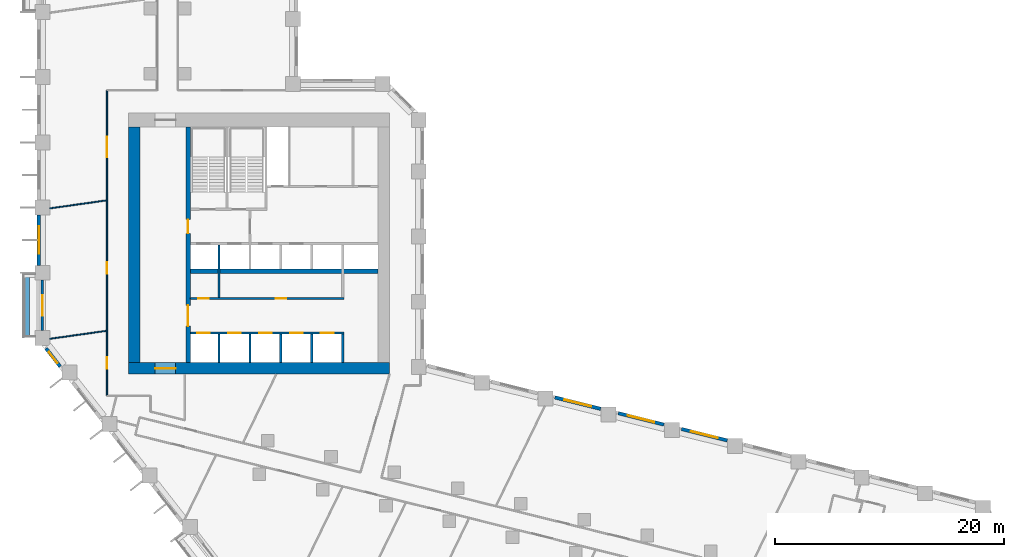
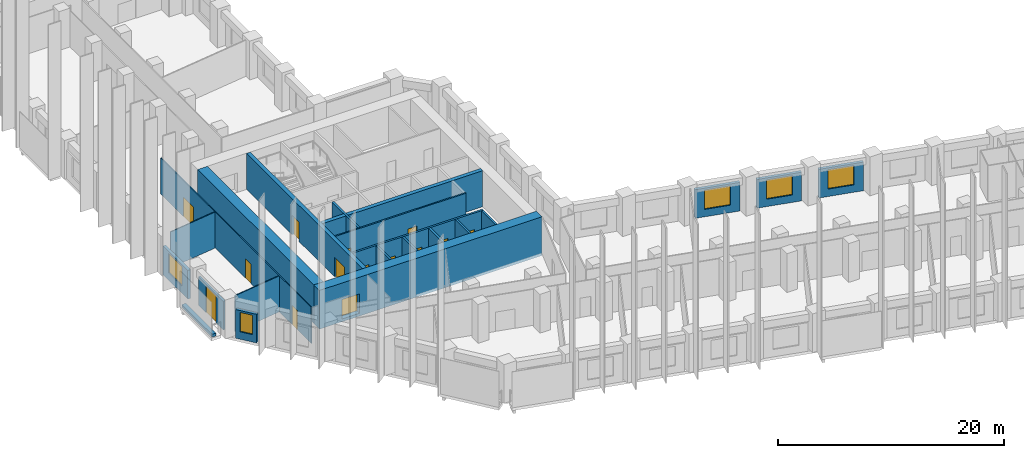
# One storey, part 4 of 11: 22 walls, 14 doors, 5 windows, 19 openings.
"""IFC4 building model written with IfcOpenShell, lengths in metres."""

from ifc_helpers import new_model, si_unit, direction, frame, frame_2d, origin, place, context, subcontext, project, spatial, rectangle, extrude, material, layer, layer_set, type_object, element, fill, save


model = new_model("IFC4")

# Units and contexts
model_context = context("Model", 3, precision=1e-05, world=origin(), true_north=direction((0.0, 1.0)))
body_context = subcontext(model_context, "Body", "Model", "MODEL_VIEW")
ifc_project = project(units=[si_unit("LENGTHUNIT", "METRE"), si_unit("AREAUNIT", "SQUARE_METRE"), si_unit("VOLUMEUNIT", "CUBIC_METRE"), si_unit("PLANEANGLEUNIT", "RADIAN"), si_unit("MASSUNIT", "GRAM", prefix="KILO")], contexts=[model_context])

# Site, building, storey
site_placement = place(None, origin())
site = spatial("IfcSite", under=ifc_project, at=site_placement, CompositionType="ELEMENT")
building_placement = place(site_placement, origin())
building = spatial("IfcBuilding", under=site, at=building_placement, Name="Meshkara Civic Tower", CompositionType="ELEMENT")
storey_placement = place(building_placement, frame((0.0, 0.0, 97.199951171875)))
storey = spatial("IfcBuildingStorey", under=building, at=storey_placement, Name="L21", CompositionType="ELEMENT", Elevation=97.199951171875)

# Wall, openings, doors
ifc_material_1 = material(Name="Blockwork", Category="masonry")
ifc_layer_1 = layer(ifc_material_1, 0.14990234375)
ifc_layer_set_1 = layer_set([ifc_layer_1], Name="Core partition 150")
wall_type_1 = type_object("IfcWallType", Name="Core partition 150", PredefinedType="PARTITIONING", material=ifc_layer_set_1)
wall_1_placement = place(storey_placement, frame((13.39990234375, 20.699951171875, 0.0), z_axis=(0.0, 0.0, 1.0), x_axis=(1.0, 0.0, 0.0)))
wall_1 = element("IfcWall", 1, at=wall_1_placement, inside=storey, type_object=wall_type_1, Name="L21-C006", PredefinedType="PARTITIONING", context=body_context, shape_type="SweptSolid", body=[
    extrude(rectangle(XDim=13.400146484375, YDim=0.14990234375, at=frame_2d((6.7001953125, 0.0))), origin(), (0.0, 0.0, 1.0), 3.900146484375),
])
opening_1_placement = place(wall_1_placement, frame((0.699951171875, 0.0, 0.0)))
opening_1 = element("IfcOpeningElement", 2, at=opening_1_placement, cuts=wall_1, Name="Opening L21-K010", PredefinedType="OPENING", context=body_context, shape_type="SweptSolid", body=[
    extrude(rectangle(XDim=0.89990234375, YDim=2.10009765625, at=frame_2d((0.449951171875, 1.050048828125))), frame((0.0, 0.0849609375, 0.0), z_axis=(0.0, -1.0, 0.0), x_axis=(1.0, 0.0, 0.0)), (0.0, 0.0, 1.0), 0.169921875),
])
opening_2_placement = place(wall_1_placement, frame((7.449951171875, 0.0, 0.0)))
opening_2 = element("IfcOpeningElement", 3, at=opening_2_placement, cuts=wall_1, Name="Opening L21-K011", PredefinedType="OPENING", context=body_context, shape_type="SweptSolid", body=[
    extrude(rectangle(XDim=0.89990234375, YDim=2.10009765625, at=frame_2d((0.449951171875, 1.050048828125))), frame((0.0, 0.0849609375, 0.0), z_axis=(0.0, -1.0, 0.0), x_axis=(1.0, 0.0, 0.0)), (0.0, 0.0, 1.0), 0.169921875),
])
ifc_material_2 = material(Name="Timber door leaf in steel frame", Category="steel")
door_type_1 = type_object("IfcDoorType", Name="Core room door 900", OperationType="SINGLE_SWING_LEFT", PredefinedType="DOOR", material=ifc_material_2)
door_1_placement = place(opening_1_placement, origin())
door_1 = element("IfcDoor", 4, at=door_1_placement, inside=storey, type_object=door_type_1, Name="L21-K010", OperationType="SINGLE_SWING_RIGHT", OverallHeight=2.10009765625, OverallWidth=0.89990234375, PredefinedType="DOOR", context=body_context, shape_type="SweptSolid", body=[
    extrude(rectangle(XDim=0.89990234375, YDim=2.10009765625, at=frame_2d((0.449951171875, 1.050048828125))), frame((0.0, 0.02490234375, 0.0), z_axis=(0.0, -1.0, 0.0), x_axis=(1.0, 0.0, 0.0)), (0.0, 0.0, 1.0), 0.050048828125),
])
fill(opening_1, door_1)
door_2_placement = place(opening_2_placement, origin())
door_2 = element("IfcDoor", 5, at=door_2_placement, inside=storey, type_object=door_type_1, Name="L21-K011", OperationType="SINGLE_SWING_LEFT", OverallHeight=2.10009765625, OverallWidth=0.89990234375, PredefinedType="DOOR", context=body_context, shape_type="SweptSolid", body=[
    extrude(rectangle(XDim=0.89990234375, YDim=2.10009765625, at=frame_2d((0.449951171875, 1.050048828125))), frame((0.0, 0.02490234375, 0.0), z_axis=(0.0, -1.0, 0.0), x_axis=(1.0, 0.0, 0.0)), (0.0, 0.0, 1.0), 0.050048828125),
])
fill(opening_2, door_2)

# Wall, opening, door
ifc_material_3 = material(Name="Concrete C70", Category="concrete")
ifc_layer_2 = layer(ifc_material_3, 1.0)
ifc_layer_set_2 = layer_set([ifc_layer_2], Name="Core ring wall 1000 C70")
wall_type_2 = type_object("IfcWallType", Name="Core ring wall 1000 C70", PredefinedType="SHEAR", material=ifc_layer_set_2)
wall_2_placement = place(storey_placement, frame((8.0, 14.60009765625, -0.300048828125), z_axis=(0.0, 0.0, 1.0), x_axis=(1.0, 0.0, 0.0)))
wall_2 = element("IfcWall", 6, at=wall_2_placement, inside=storey, type_object=wall_type_2, Name="L21-C001", PredefinedType="SHEAR", context=body_context, shape_type="SweptSolid", body=[
    extrude(rectangle(XDim=22.800048828125, YDim=1.0, at=frame_2d((11.39990234375, 0.0))), origin(), (0.0, 0.0, 1.0), 4.2001953125),
])
opening_3_placement = place(wall_2_placement, frame((2.300048828125, 0.0, 0.300048828125)))
opening_3 = element("IfcOpeningElement", 7, at=opening_3_placement, cuts=wall_2, Name="Opening L21-K021", PredefinedType="OPENING", context=body_context, shape_type="SweptSolid", body=[
    extrude(rectangle(XDim=1.800048828125, YDim=2.10009765625, at=frame_2d((0.89990234375, 1.050048828125))), frame((0.0, 0.510009765625, 0.0), z_axis=(0.0, -1.0, 0.0), x_axis=(1.0, 0.0, 0.0)), (0.0, 0.0, 1.0), 1.02001953125),
])
ifc_material_4 = material(Name="Fire-rated door leaf in steel frame", Category="steel")
door_type_2 = type_object("IfcDoorType", Name="Core double door 1800 EI 60", OperationType="DOUBLE_DOOR_SINGLE_SWING", PredefinedType="DOOR", material=ifc_material_4)
door_3_placement = place(opening_3_placement, origin())
door_3 = element("IfcDoor", 8, at=door_3_placement, inside=storey, type_object=door_type_2, Name="L21-K021", OperationType="DOUBLE_DOOR_SINGLE_SWING", OverallHeight=2.10009765625, OverallWidth=1.800048828125, PredefinedType="DOOR", context=body_context, shape_type="SweptSolid", body=[
    extrude(rectangle(XDim=1.800048828125, YDim=2.10009765625, at=frame_2d((0.89990234375, 1.050048828125))), frame((0.0, 0.02490234375, 0.0), z_axis=(0.0, -1.0, 0.0), x_axis=(1.0, 0.0, 0.0)), (0.0, 0.0, 1.0), 0.050048828125),
])
fill(opening_3, door_3)

# Walls
wall_3_placement = place(storey_placement, frame((8.5, 15.10009765625, -0.300048828125), z_axis=(0.0, 0.0, 1.0), x_axis=(0.0, 1.0, 0.0)))
element("IfcWall", 9, at=wall_3_placement, inside=storey, type_object=wall_type_2, Name="L21-C003", PredefinedType="SHEAR", context=body_context, shape_type="SweptSolid", body=[
    extrude(rectangle(XDim=20.599853515625, YDim=1.0, at=frame_2d((10.2998046875, 0.0))), origin(), (0.0, 0.0, 1.0), 4.2001953125),
])
ifc_material_5 = material(Name="Concrete C70", Category="concrete")
ifc_layer_3 = layer(ifc_material_5, 0.39990234375)
ifc_layer_set_3 = layer_set([ifc_layer_3], Name="Core shear wall 400 C70")
wall_type_3 = type_object("IfcWallType", Name="Core shear wall 400 C70", PredefinedType="SHEAR", material=ifc_layer_set_3)
wall_4_placement = place(storey_placement, frame((13.39990234375, 23.10009765625, 0.0), z_axis=(0.0, 0.0, 1.0), x_axis=(1.0, 0.0, 0.0)))
element("IfcWall", 10, at=wall_4_placement, inside=storey, type_object=wall_type_3, Name="L21-C007", PredefinedType="SHEAR", context=body_context, shape_type="SweptSolid", body=[
    extrude(rectangle(XDim=16.400146484375, YDim=0.39990234375, at=frame_2d((8.2001953125, 0.0))), origin(), (0.0, 0.0, 1.0), 3.900146484375),
])

# Wall, openings, doors
wall_5_placement = place(storey_placement, frame((13.199951171875, 15.10009765625, 0.0), z_axis=(0.0, 0.0, 1.0), x_axis=(0.0, 1.0, 0.0)))
wall_5 = element("IfcWall", 11, at=wall_5_placement, inside=storey, type_object=wall_type_3, Name="L21-C011", PredefinedType="SHEAR", context=body_context, shape_type="SweptSolid", body=[
    extrude(rectangle(XDim=20.599853515625, YDim=0.39990234375, at=frame_2d((10.2998046875, 0.0))), origin(), (0.0, 0.0, 1.0), 3.900146484375),
])
opening_4_placement = place(wall_5_placement, frame((3.199951171875, 0.0, 0.0)))
opening_4 = element("IfcOpeningElement", 12, at=opening_4_placement, cuts=wall_5, Name="Opening L21-K017", PredefinedType="OPENING", context=body_context, shape_type="SweptSolid", body=[
    extrude(rectangle(XDim=1.800048828125, YDim=2.10009765625, at=frame_2d((0.89990234375, 1.050048828125))), frame((0.0, 0.2099609375, 0.0), z_axis=(0.0, -1.0, 0.0), x_axis=(1.0, 0.0, 0.0)), (0.0, 0.0, 1.0), 0.419921875),
])
opening_5_placement = place(wall_5_placement, frame((11.300048828125, 0.0, 0.0)))
opening_5 = element("IfcOpeningElement", 13, at=opening_5_placement, cuts=wall_5, Name="Opening L21-K018", PredefinedType="OPENING", context=body_context, shape_type="SweptSolid", body=[
    extrude(rectangle(XDim=1.199951171875, YDim=2.10009765625, at=frame_2d((0.60009765625, 1.050048828125))), frame((0.0, 0.2099609375, 0.0), z_axis=(0.0, -1.0, 0.0), x_axis=(1.0, 0.0, 0.0)), (0.0, 0.0, 1.0), 0.419921875),
])
door_4_placement = place(opening_4_placement, origin())
door_4 = element("IfcDoor", 14, at=door_4_placement, inside=storey, type_object=door_type_2, Name="L21-K017", OperationType="DOUBLE_DOOR_SINGLE_SWING", OverallHeight=2.10009765625, OverallWidth=1.800048828125, PredefinedType="DOOR", context=body_context, shape_type="SweptSolid", body=[
    extrude(rectangle(XDim=1.800048828125, YDim=2.10009765625, at=frame_2d((0.89990234375, 1.050048828125))), frame((0.0, 0.02490234375, 0.0), z_axis=(0.0, -1.0, 0.0), x_axis=(1.0, 0.0, 0.0)), (0.0, 0.0, 1.0), 0.050048828125),
])
fill(opening_4, door_4)
ifc_material_6 = material(Name="Fire-rated door leaf in steel frame", Category="steel")
door_type_3 = type_object("IfcDoorType", Name="Fire-fighting lobby door 1200 EI 120", OperationType="SINGLE_SWING_LEFT", PredefinedType="DOOR", material=ifc_material_6)
door_5_placement = place(opening_5_placement, origin())
door_5 = element("IfcDoor", 15, at=door_5_placement, inside=storey, type_object=door_type_3, Name="L21-K018", OperationType="SINGLE_SWING_LEFT", OverallHeight=2.10009765625, OverallWidth=1.199951171875, PredefinedType="DOOR", context=body_context, shape_type="SweptSolid", body=[
    extrude(rectangle(XDim=1.199951171875, YDim=2.10009765625, at=frame_2d((0.60009765625, 1.050048828125))), frame((0.0, 0.02490234375, 0.0), z_axis=(0.0, -1.0, 0.0), x_axis=(1.0, 0.0, 0.0)), (0.0, 0.0, 1.0), 0.050048828125),
])
fill(opening_5, door_5)

ifc_material_7 = material(Name="Corridor wall 100")
ifc_layer_4 = layer(ifc_material_7, 0.10009765625)
ifc_layer_set_4 = layer_set([ifc_layer_4], Name="Corridor wall 100")
wall_type_4 = type_object("IfcWallType", Name="Corridor wall 100", PredefinedType="PARTITIONING", material=ifc_layer_set_4)
wall_6_placement = place(storey_placement, frame((6.10009765625, 12.199951171875, 0.0), z_axis=(0.0, 0.0, 1.0), x_axis=(0.0, 1.0, 0.0)))
wall_6 = element("IfcWall", 16, at=wall_6_placement, inside=storey, type_object=wall_type_4, Name="L21-W004", PredefinedType="PARTITIONING", context=body_context, shape_type="SweptSolid", body=[
    extrude(rectangle(XDim=26.699951171875, YDim=0.10009765625, at=frame_2d((13.35009765625, 0.0))), origin(), (0.0, 0.0, 1.0), 3.900146484375),
])
opening_6_placement = place(wall_6_placement, frame((2.3798828125, 0.0, 0.0)))
opening_6 = element("IfcOpeningElement", 17, at=opening_6_placement, cuts=wall_6, Name="Opening L21-D018", PredefinedType="OPENING", context=body_context, shape_type="SweptSolid", body=[
    extrude(rectangle(XDim=1.0, YDim=2.10009765625, at=frame_2d((0.5, 1.050048828125))), frame((0.0, 0.06005859375, 0.0), z_axis=(0.0, -1.0, 0.0), x_axis=(1.0, 0.0, 0.0)), (0.0, 0.0, 1.0), 0.1201171875),
])
opening_7_placement = place(wall_6_placement, frame((10.658935546875, 0.0, 0.0)))
opening_7 = element("IfcOpeningElement", 18, at=opening_7_placement, cuts=wall_6, Name="Opening L21-D019", PredefinedType="OPENING", context=body_context, shape_type="SweptSolid", body=[
    extrude(rectangle(XDim=1.0, YDim=2.10009765625, at=frame_2d((0.5, 1.050048828125))), frame((0.0, 0.06005859375, 0.0), z_axis=(0.0, -1.0, 0.0), x_axis=(1.0, 0.0, 0.0)), (0.0, 0.0, 1.0), 0.1201171875),
])
opening_8_placement = place(wall_6_placement, frame((20.85888671875, 0.0, 0.0)))
opening_8 = element("IfcOpeningElement", 19, at=opening_8_placement, cuts=wall_6, Name="Opening L21-D020", PredefinedType="OPENING", context=body_context, shape_type="SweptSolid", body=[
    extrude(rectangle(XDim=1.800048828125, YDim=2.10009765625, at=frame_2d((0.89990234375, 1.050048828125))), frame((0.0, 0.06005859375, 0.0), z_axis=(0.0, -1.0, 0.0), x_axis=(1.0, 0.0, 0.0)), (0.0, 0.0, 1.0), 0.1201171875),
])
ifc_material_8 = material(Name="Door 1000 x 2100")
door_type_4 = type_object("IfcDoorType", Name="Door 1000 x 2100", OperationType="SINGLE_SWING_LEFT", PredefinedType="DOOR", material=ifc_material_8)
door_6_placement = place(opening_6_placement, origin())
door_6 = element("IfcDoor", 20, at=door_6_placement, inside=storey, type_object=door_type_4, Name="L21-D018", OperationType="SINGLE_SWING_RIGHT", OverallHeight=2.10009765625, OverallWidth=1.0, PredefinedType="DOOR", context=body_context, shape_type="SweptSolid", body=[
    extrude(rectangle(XDim=1.0, YDim=2.10009765625, at=frame_2d((0.5, 1.050048828125))), frame((0.0, 0.02490234375, 0.0), z_axis=(0.0, -1.0, 0.0), x_axis=(1.0, 0.0, 0.0)), (0.0, 0.0, 1.0), 0.050048828125),
])
fill(opening_6, door_6)
door_7_placement = place(opening_7_placement, origin())
door_7 = element("IfcDoor", 21, at=door_7_placement, inside=storey, type_object=door_type_4, Name="L21-D019", OperationType="SINGLE_SWING_LEFT", OverallHeight=2.10009765625, OverallWidth=1.0, PredefinedType="DOOR", context=body_context, shape_type="SweptSolid", body=[
    extrude(rectangle(XDim=1.0, YDim=2.10009765625, at=frame_2d((0.5, 1.050048828125))), frame((0.0, 0.02490234375, 0.0), z_axis=(0.0, -1.0, 0.0), x_axis=(1.0, 0.0, 0.0)), (0.0, 0.0, 1.0), 0.050048828125),
])
fill(opening_7, door_7)
ifc_material_9 = material(Name="Door pair 1800 x 2100")
door_type_5 = type_object("IfcDoorType", Name="Door pair 1800 x 2100", OperationType="SINGLE_SWING_LEFT", PredefinedType="DOOR", material=ifc_material_9)
door_8_placement = place(opening_8_placement, origin())
door_8 = element("IfcDoor", 22, at=door_8_placement, inside=storey, type_object=door_type_5, Name="L21-D020", OperationType="DOUBLE_DOOR_SINGLE_SWING", OverallHeight=2.10009765625, OverallWidth=1.800048828125, PredefinedType="DOOR", context=body_context, shape_type="SweptSolid", body=[
    extrude(rectangle(XDim=1.800048828125, YDim=2.10009765625, at=frame_2d((0.89990234375, 1.050048828125))), frame((0.0, 0.02490234375, 0.0), z_axis=(0.0, -1.0, 0.0), x_axis=(1.0, 0.0, 0.0)), (0.0, 0.0, 1.0), 0.050048828125),
])
fill(opening_8, door_8)

# Wall, opening, window
ifc_material_10 = material(Name="Insulated infill panel with bronze anodised aluminium cladding", Category="aluminium")
ifc_layer_5 = layer(ifc_material_10, 0.300048828125)
ifc_layer_set_5 = layer_set([ifc_layer_5], Name="EXTERNAL INFILL WALL 300")
wall_type_5 = type_object("IfcWallType", Name="EXTERNAL INFILL WALL 300", PredefinedType="SOLIDWALL", material=ifc_layer_set_5)
wall_7_placement = place(storey_placement, frame((60.31103515625, 8.305908203125, 0.0), z_axis=(0.0, 0.0, 1.0), x_axis=(-0.970267747908, 0.242034083076, 0.0)))
wall_7 = element("IfcWall", 23, at=wall_7_placement, inside=storey, type_object=wall_type_5, Name="External wall", PredefinedType="SOLIDWALL", context=body_context, shape_type="SweptSolid", body=[
    extrude(rectangle(XDim=4.12353515625, YDim=0.300048828125, at=frame_2d((2.061767578125, 0.0))), origin(), (0.0, 0.0, 1.0), 3.10009765625),
])
opening_9_placement = place(wall_7_placement, frame((0.862060546875, 0.0, 0.800048828125)))
opening_9 = element("IfcOpeningElement", 24, at=opening_9_placement, cuts=wall_7, Name="Opening W7", PredefinedType="OPENING", context=body_context, shape_type="SweptSolid", body=[
    extrude(rectangle(XDim=2.39990234375, YDim=2.10009765625, at=frame_2d((1.199951171875, 1.050048828125))), frame((0.0, 0.159912109375, 0.0), z_axis=(0.0, -1.0, 0.0), x_axis=(1.0, 0.0, 0.0)), (0.0, 0.0, 1.0), 0.320068359375),
])
ifc_material_11 = material(Name="Tinted double glazing", Category="glass")
window_type_1 = type_object("IfcWindowType", Name="WINDOW 2400x2100", PartitioningType="DOUBLE_PANEL_VERTICAL", PredefinedType="WINDOW", material=ifc_material_11)
window_1_placement = place(opening_9_placement, origin())
window_1 = element("IfcWindow", 25, at=window_1_placement, inside=storey, type_object=window_type_1, Name="Window", OverallHeight=2.10009765625, OverallWidth=2.39990234375, PartitioningType="DOUBLE_PANEL_VERTICAL", PredefinedType="WINDOW", context=body_context, shape_type="SweptSolid", body=[
    extrude(rectangle(XDim=2.39990234375, YDim=2.10009765625, at=frame_2d((1.199951171875, 1.050048828125))), frame((0.0, 0.030029296875, 0.0), z_axis=(0.0, -1.0, 0.0), x_axis=(1.0, 0.0, 0.0)), (0.0, 0.0, 1.0), 0.06005859375),
])
fill(opening_9, window_1)

wall_8_placement = place(storey_placement, frame((54.781005859375, 9.68505859375, 0.0), z_axis=(0.0, 0.0, 1.0), x_axis=(-0.970281616392, 0.241978480223, 0.0)))
wall_8 = element("IfcWall", 26, at=wall_8_placement, inside=storey, type_object=wall_type_5, Name="External wall", PredefinedType="SOLIDWALL", context=body_context, shape_type="SweptSolid", body=[
    extrude(rectangle(XDim=4.12451171875, YDim=0.300048828125, at=frame_2d((2.062255859375, 0.0))), origin(), (0.0, 0.0, 1.0), 3.10009765625),
])
opening_10_placement = place(wall_8_placement, frame((0.862060546875, 0.0, 0.800048828125)))
opening_10 = element("IfcOpeningElement", 27, at=opening_10_placement, cuts=wall_8, Name="Opening W7", PredefinedType="OPENING", context=body_context, shape_type="SweptSolid", body=[
    extrude(rectangle(XDim=2.39990234375, YDim=2.10009765625, at=frame_2d((1.199951171875, 1.050048828125))), frame((0.0, 0.159912109375, 0.0), z_axis=(0.0, -1.0, 0.0), x_axis=(1.0, 0.0, 0.0)), (0.0, 0.0, 1.0), 0.320068359375),
])
window_2_placement = place(opening_10_placement, origin())
window_2 = element("IfcWindow", 28, at=window_2_placement, inside=storey, type_object=window_type_1, Name="Window", OverallHeight=2.10009765625, OverallWidth=2.39990234375, PartitioningType="DOUBLE_PANEL_VERTICAL", PredefinedType="WINDOW", context=body_context, shape_type="SweptSolid", body=[
    extrude(rectangle(XDim=2.39990234375, YDim=2.10009765625, at=frame_2d((1.199951171875, 1.050048828125))), frame((0.0, 0.030029296875, 0.0), z_axis=(0.0, -1.0, 0.0), x_axis=(1.0, 0.0, 0.0)), (0.0, 0.0, 1.0), 0.06005859375),
])
fill(opening_10, window_2)

wall_9_placement = place(storey_placement, frame((49.25, 11.06396484375, 0.0), z_axis=(0.0, 0.0, 1.0), x_axis=(-0.970281616392, 0.241978480223, 0.0)))
wall_9 = element("IfcWall", 29, at=wall_9_placement, inside=storey, type_object=wall_type_5, Name="External wall", PredefinedType="SOLIDWALL", context=body_context, shape_type="SweptSolid", body=[
    extrude(rectangle(XDim=4.12451171875, YDim=0.300048828125, at=frame_2d((2.062255859375, 0.0))), origin(), (0.0, 0.0, 1.0), 3.10009765625),
])
opening_11_placement = place(wall_9_placement, frame((0.862060546875, 0.0, 0.800048828125)))
opening_11 = element("IfcOpeningElement", 30, at=opening_11_placement, cuts=wall_9, Name="Opening W7", PredefinedType="OPENING", context=body_context, shape_type="SweptSolid", body=[
    extrude(rectangle(XDim=2.39990234375, YDim=2.10009765625, at=frame_2d((1.199951171875, 1.050048828125))), frame((0.0, 0.159912109375, 0.0), z_axis=(0.0, -1.0, 0.0), x_axis=(1.0, 0.0, 0.0)), (0.0, 0.0, 1.0), 0.320068359375),
])
window_3_placement = place(opening_11_placement, origin())
window_3 = element("IfcWindow", 31, at=window_3_placement, inside=storey, type_object=window_type_1, Name="Window", OverallHeight=2.10009765625, OverallWidth=2.39990234375, PartitioningType="DOUBLE_PANEL_VERTICAL", PredefinedType="WINDOW", context=body_context, shape_type="SweptSolid", body=[
    extrude(rectangle(XDim=2.39990234375, YDim=2.10009765625, at=frame_2d((1.199951171875, 1.050048828125))), frame((0.0, 0.030029296875, 0.0), z_axis=(0.0, -1.0, 0.0), x_axis=(1.0, 0.0, 0.0)), (0.0, 0.0, 1.0), 0.06005859375),
])
fill(opening_11, window_3)

wall_10_placement = place(storey_placement, frame((0.14990234375, 28.0048828125, 0.0), z_axis=(0.0, 0.0, 1.0), x_axis=(0.0, -1.0, 0.0)))
wall_10 = element("IfcWall", 32, at=wall_10_placement, inside=storey, type_object=wall_type_5, Name="External wall", PredefinedType="SOLIDWALL", context=body_context, shape_type="SweptSolid", body=[
    extrude(rectangle(XDim=4.39990234375, YDim=0.300048828125, at=frame_2d((2.199951171875, 0.0))), origin(), (0.0, 0.0, 1.0), 3.10009765625),
])
opening_12_placement = place(wall_10_placement, frame((1.0, 0.0, 0.800048828125)))
opening_12 = element("IfcOpeningElement", 33, at=opening_12_placement, cuts=wall_10, Name="Opening W7", PredefinedType="OPENING", context=body_context, shape_type="SweptSolid", body=[
    extrude(rectangle(XDim=2.39990234375, YDim=2.10009765625, at=frame_2d((1.199951171875, 1.050048828125))), frame((0.0, 0.159912109375, 0.0), z_axis=(0.0, -1.0, 0.0), x_axis=(1.0, 0.0, 0.0)), (0.0, 0.0, 1.0), 0.320068359375),
])
window_4_placement = place(opening_12_placement, origin())
window_4 = element("IfcWindow", 34, at=window_4_placement, inside=storey, type_object=window_type_1, Name="Window", OverallHeight=2.10009765625, OverallWidth=2.39990234375, PartitioningType="DOUBLE_PANEL_VERTICAL", PredefinedType="WINDOW", context=body_context, shape_type="SweptSolid", body=[
    extrude(rectangle(XDim=2.39990234375, YDim=2.10009765625, at=frame_2d((1.199951171875, 1.050048828125))), frame((0.0, 0.030029296875, 0.0), z_axis=(0.0, -1.0, 0.0), x_axis=(1.0, 0.0, 0.0)), (0.0, 0.0, 1.0), 0.06005859375),
])
fill(opening_12, window_4)

wall_11_placement = place(storey_placement, frame((0.77490234375, 16.35107421875, 0.0), z_axis=(0.0, 0.0, 1.0), x_axis=(0.6157921118, -0.787908671766, 0.0)))
wall_11 = element("IfcWall", 35, at=wall_11_placement, inside=storey, type_object=wall_type_5, Name="External wall", PredefinedType="SOLIDWALL", context=body_context, shape_type="SweptSolid", body=[
    extrude(rectangle(XDim=2.015625, YDim=0.300048828125, at=frame_2d((1.0078125, 0.0))), origin(), (0.0, 0.0, 1.0), 3.10009765625),
])
opening_13_placement = place(wall_11_placement, frame((0.407958984375, 0.0, 0.800048828125)))
opening_13 = element("IfcOpeningElement", 36, at=opening_13_placement, cuts=wall_11, Name="Opening W3", PredefinedType="OPENING", context=body_context, shape_type="SweptSolid", body=[
    extrude(rectangle(XDim=1.199951171875, YDim=2.10009765625, at=frame_2d((0.60009765625, 1.050048828125))), frame((0.0, 0.159912109375, 0.0), z_axis=(0.0, -1.0, 0.0), x_axis=(1.0, 0.0, 0.0)), (0.0, 0.0, 1.0), 0.320068359375),
])
ifc_material_12 = material(Name="Tinted double glazing", Category="glass")
window_type_2 = type_object("IfcWindowType", Name="WINDOW 1200x2100", PartitioningType="SINGLE_PANEL", PredefinedType="WINDOW", material=ifc_material_12)
window_5_placement = place(opening_13_placement, origin())
window_5 = element("IfcWindow", 37, at=window_5_placement, inside=storey, type_object=window_type_2, Name="Window", OverallHeight=2.10009765625, OverallWidth=1.199951171875, PartitioningType="SINGLE_PANEL", PredefinedType="WINDOW", context=body_context, shape_type="SweptSolid", body=[
    extrude(rectangle(XDim=1.199951171875, YDim=2.10009765625, at=frame_2d((0.60009765625, 1.050048828125))), frame((0.0, 0.030029296875, 0.0), z_axis=(0.0, -1.0, 0.0), x_axis=(1.0, 0.0, 0.0)), (0.0, 0.0, 1.0), 0.06005859375),
])
fill(opening_13, window_5)

# Wall, opening, door
ifc_material_13 = material(Name="Insulated infill panel with bronze anodised aluminium cladding", Category="aluminium")
ifc_layer_6 = layer(ifc_material_13, 0.199951171875)
ifc_layer_set_6 = layer_set([ifc_layer_6], Name="LOGGIA BACK WALL 200")
wall_type_6 = type_object("IfcWallType", Name="LOGGIA BACK WALL 200", PredefinedType="SOLIDWALL", material=ifc_layer_set_6)
wall_12_placement = place(storey_placement, frame((0.449951171875, 22.303955078125, 0.0), z_axis=(0.0, 0.0, 1.0), x_axis=(0.0, -1.0, 0.0)))
wall_12 = element("IfcWall", 38, at=wall_12_placement, inside=storey, type_object=wall_type_6, Name="Loggia wall", PredefinedType="SOLIDWALL", context=body_context, shape_type="SweptSolid", body=[
    extrude(rectangle(XDim=4.39892578125, YDim=0.199951171875, at=frame_2d((2.199462890625, 0.0))), origin(), (0.0, 0.0, 1.0), 3.10009765625),
])
opening_14_placement = place(wall_12_placement, frame((1.300048828125, 0.0, 0.0)))
opening_14 = element("IfcOpeningElement", 39, at=opening_14_placement, cuts=wall_12, Name="Opening L21-L002", PredefinedType="OPENING", context=body_context, shape_type="SweptSolid", body=[
    extrude(rectangle(XDim=1.800048828125, YDim=2.89990234375, at=frame_2d((0.89990234375, 1.449951171875))), frame((0.0, 0.10986328125, 0.0), z_axis=(0.0, -1.0, 0.0), x_axis=(1.0, 0.0, 0.0)), (0.0, 0.0, 1.0), 0.219970703125),
])
ifc_material_14 = material(Name="Tinted double glazing", Category="glass")
door_type_6 = type_object("IfcDoorType", Name="LOGGIA DOOR 1800x2900", OperationType="DOUBLE_DOOR_SINGLE_SWING", PredefinedType="DOOR", material=ifc_material_14)
door_9_placement = place(opening_14_placement, origin())
door_9 = element("IfcDoor", 40, at=door_9_placement, inside=storey, type_object=door_type_6, Name="L21-L002", OperationType="DOUBLE_DOOR_SINGLE_SWING", OverallHeight=2.89990234375, OverallWidth=1.800048828125, PredefinedType="DOOR", context=body_context, shape_type="SweptSolid", body=[
    extrude(rectangle(XDim=1.800048828125, YDim=2.89990234375, at=frame_2d((0.89990234375, 1.449951171875))), frame((0.0, 0.02490234375, 0.0), z_axis=(0.0, -1.0, 0.0), x_axis=(1.0, 0.0, 0.0)), (0.0, 0.0, 1.0), 0.050048828125),
])
fill(opening_14, door_9)

# Walls
ifc_material_15 = material(Name="Concrete C40", Category="concrete")
ifc_layer_7 = layer(ifc_material_15, 0.39990234375)
ifc_layer_set_7 = layer_set([ifc_layer_7], Name="PLANTER TRAY")
wall_type_7 = type_object("IfcWallType", Name="PLANTER TRAY", PredefinedType="SOLIDWALL", material=ifc_layer_set_7)
wall_13_placement = place(storey_placement, frame((-0.8798828125, 22.784912109375, 0.0), z_axis=(0.0, 0.0, 1.0), x_axis=(0.0, -1.0, 0.0)))
element("IfcWall", 41, at=wall_13_placement, inside=storey, type_object=wall_type_7, Name="Planter", PredefinedType="SOLIDWALL", context=body_context, shape_type="SweptSolid", body=[
    extrude(rectangle(XDim=5.35986328125, YDim=0.39990234375, at=frame_2d((2.679931640625, 0.0))), origin(), (0.0, 0.0, 1.0), 0.300048828125),
])
ifc_material_16 = material(Name="Partition 100")
ifc_layer_8 = layer(ifc_material_16, 0.10009765625)
ifc_layer_set_8 = layer_set([ifc_layer_8], Name="Partition 100")
wall_type_8 = type_object("IfcWallType", Name="Partition 100", PredefinedType="PARTITIONING", material=ifc_layer_set_8)
for number, where, z_axis, x_axis, name in (
    (42, (6.04296875, 17.87890625, 0.0), (0.0, 0.0, 1.0), (-0.990263954585, -0.139202371567, 0.0), "L21-W033"),
    (43, (6.04296875, 29.279052734375, 0.0), (0.0, 0.0, 1.0), (-0.990257211149, -0.139250334888, 0.0), "L21-W034"),
):
    element("IfcWall", number, at=place(storey_placement, frame(where, z_axis=z_axis, x_axis=x_axis)), inside=storey, type_object=wall_type_8, Name=name, PredefinedType="PARTITIONING", context=body_context, shape_type="SweptSolid", body=[
        extrude(rectangle(XDim=4.991455078125, YDim=0.10009765625, at=frame_2d((2.49560546875, 0.0))), origin(), (0.0, 0.0, 1.0), 3.900146484375),
    ])

# Wall, openings, doors
ifc_material_17 = material(Name="Concrete C40/50", Category="concrete")
ifc_layer_9 = layer(ifc_material_17, 0.199951171875)
ifc_layer_set_9 = layer_set([ifc_layer_9], Name="Shaft wall 200 C40/50")
wall_type_9 = type_object("IfcWallType", Name="Shaft wall 200 C40/50", PredefinedType="SOLIDWALL", material=ifc_layer_set_9)
wall_14_placement = place(storey_placement, frame((13.39990234375, 17.699951171875, 0.0), z_axis=(0.0, 0.0, 1.0), x_axis=(1.0, 0.0, 0.0)))
wall_14 = element("IfcWall", 44, at=wall_14_placement, inside=storey, type_object=wall_type_9, Name="L21-C005", PredefinedType="SOLIDWALL", context=body_context, shape_type="SweptSolid", body=[
    extrude(rectangle(XDim=13.400146484375, YDim=0.199951171875, at=frame_2d((6.7001953125, 0.0))), origin(), (0.0, 0.0, 1.0), 3.900146484375),
])
opening_15_placement = place(wall_14_placement, frame((0.60009765625, 0.0, 0.0)))
opening_15 = element("IfcOpeningElement", 45, at=opening_15_placement, cuts=wall_14, Name="Opening L21-K001", PredefinedType="OPENING", context=body_context, shape_type="SweptSolid", body=[
    extrude(rectangle(XDim=1.10009765625, YDim=2.10009765625, at=frame_2d((0.550048828125, 1.050048828125))), frame((0.0, 0.10986328125, 0.0), z_axis=(0.0, -1.0, 0.0), x_axis=(1.0, 0.0, 0.0)), (0.0, 0.0, 1.0), 0.219970703125),
])
opening_16_placement = place(wall_14_placement, frame((3.300048828125, 0.0, 0.0)))
opening_16 = element("IfcOpeningElement", 46, at=opening_16_placement, cuts=wall_14, Name="Opening L21-K002", PredefinedType="OPENING", context=body_context, shape_type="SweptSolid", body=[
    extrude(rectangle(XDim=1.10009765625, YDim=2.10009765625, at=frame_2d((0.550048828125, 1.050048828125))), frame((0.0, 0.10986328125, 0.0), z_axis=(0.0, -1.0, 0.0), x_axis=(1.0, 0.0, 0.0)), (0.0, 0.0, 1.0), 0.219970703125),
])
opening_17_placement = place(wall_14_placement, frame((6.0, 0.0, 0.0)))
opening_17 = element("IfcOpeningElement", 47, at=opening_17_placement, cuts=wall_14, Name="Opening L21-K003", PredefinedType="OPENING", context=body_context, shape_type="SweptSolid", body=[
    extrude(rectangle(XDim=1.10009765625, YDim=2.10009765625, at=frame_2d((0.550048828125, 1.050048828125))), frame((0.0, 0.10986328125, 0.0), z_axis=(0.0, -1.0, 0.0), x_axis=(1.0, 0.0, 0.0)), (0.0, 0.0, 1.0), 0.219970703125),
])
opening_18_placement = place(wall_14_placement, frame((8.699951171875, 0.0, 0.0)))
opening_18 = element("IfcOpeningElement", 48, at=opening_18_placement, cuts=wall_14, Name="Opening L21-K004", PredefinedType="OPENING", context=body_context, shape_type="SweptSolid", body=[
    extrude(rectangle(XDim=1.10009765625, YDim=2.10009765625, at=frame_2d((0.550048828125, 1.050048828125))), frame((0.0, 0.10986328125, 0.0), z_axis=(0.0, -1.0, 0.0), x_axis=(1.0, 0.0, 0.0)), (0.0, 0.0, 1.0), 0.219970703125),
])
opening_19_placement = place(wall_14_placement, frame((11.39990234375, 0.0, 0.0)))
opening_19 = element("IfcOpeningElement", 49, at=opening_19_placement, cuts=wall_14, Name="Opening L21-K005", PredefinedType="OPENING", context=body_context, shape_type="SweptSolid", body=[
    extrude(rectangle(XDim=1.10009765625, YDim=2.10009765625, at=frame_2d((0.550048828125, 1.050048828125))), frame((0.0, 0.10986328125, 0.0), z_axis=(0.0, -1.0, 0.0), x_axis=(1.0, 0.0, 0.0)), (0.0, 0.0, 1.0), 0.219970703125),
])
ifc_material_18 = material(Name="Stainless steel landing door", Category="steel")
door_type_7 = type_object("IfcDoorType", Name="Lift landing door 1100", OperationType="SLIDING_TO_LEFT", PredefinedType="DOOR", material=ifc_material_18)
door_10_placement = place(opening_15_placement, origin())
door_10 = element("IfcDoor", 50, at=door_10_placement, inside=storey, type_object=door_type_7, Name="L21-K001", OperationType="SLIDING_TO_LEFT", OverallHeight=2.10009765625, OverallWidth=1.10009765625, PredefinedType="DOOR", context=body_context, shape_type="SweptSolid", body=[
    extrude(rectangle(XDim=1.10009765625, YDim=2.10009765625, at=frame_2d((0.550048828125, 1.050048828125))), frame((0.0, 0.02490234375, 0.0), z_axis=(0.0, -1.0, 0.0), x_axis=(1.0, 0.0, 0.0)), (0.0, 0.0, 1.0), 0.050048828125),
])
fill(opening_15, door_10)
door_11_placement = place(opening_16_placement, origin())
door_11 = element("IfcDoor", 51, at=door_11_placement, inside=storey, type_object=door_type_7, Name="L21-K002", OperationType="SLIDING_TO_LEFT", OverallHeight=2.10009765625, OverallWidth=1.10009765625, PredefinedType="DOOR", context=body_context, shape_type="SweptSolid", body=[
    extrude(rectangle(XDim=1.10009765625, YDim=2.10009765625, at=frame_2d((0.550048828125, 1.050048828125))), frame((0.0, 0.02490234375, 0.0), z_axis=(0.0, -1.0, 0.0), x_axis=(1.0, 0.0, 0.0)), (0.0, 0.0, 1.0), 0.050048828125),
])
fill(opening_16, door_11)
door_12_placement = place(opening_17_placement, origin())
door_12 = element("IfcDoor", 52, at=door_12_placement, inside=storey, type_object=door_type_7, Name="L21-K003", OperationType="SLIDING_TO_LEFT", OverallHeight=2.10009765625, OverallWidth=1.10009765625, PredefinedType="DOOR", context=body_context, shape_type="SweptSolid", body=[
    extrude(rectangle(XDim=1.10009765625, YDim=2.10009765625, at=frame_2d((0.550048828125, 1.050048828125))), frame((0.0, 0.02490234375, 0.0), z_axis=(0.0, -1.0, 0.0), x_axis=(1.0, 0.0, 0.0)), (0.0, 0.0, 1.0), 0.050048828125),
])
fill(opening_17, door_12)
door_13_placement = place(opening_18_placement, origin())
door_13 = element("IfcDoor", 53, at=door_13_placement, inside=storey, type_object=door_type_7, Name="L21-K004", OperationType="SLIDING_TO_LEFT", OverallHeight=2.10009765625, OverallWidth=1.10009765625, PredefinedType="DOOR", context=body_context, shape_type="SweptSolid", body=[
    extrude(rectangle(XDim=1.10009765625, YDim=2.10009765625, at=frame_2d((0.550048828125, 1.050048828125))), frame((0.0, 0.02490234375, 0.0), z_axis=(0.0, -1.0, 0.0), x_axis=(1.0, 0.0, 0.0)), (0.0, 0.0, 1.0), 0.050048828125),
])
fill(opening_18, door_13)
door_14_placement = place(opening_19_placement, origin())
door_14 = element("IfcDoor", 54, at=door_14_placement, inside=storey, type_object=door_type_7, Name="L21-K005", OperationType="SLIDING_TO_LEFT", OverallHeight=2.10009765625, OverallWidth=1.10009765625, PredefinedType="DOOR", context=body_context, shape_type="SweptSolid", body=[
    extrude(rectangle(XDim=1.10009765625, YDim=2.10009765625, at=frame_2d((0.550048828125, 1.050048828125))), frame((0.0, 0.02490234375, 0.0), z_axis=(0.0, -1.0, 0.0), x_axis=(1.0, 0.0, 0.0)), (0.0, 0.0, 1.0), 0.050048828125),
])
fill(opening_19, door_14)

# Walls
wall_15_placement = place(storey_placement, frame((15.89990234375, 15.10009765625, 0.0), z_axis=(0.0, 0.0, 1.0), x_axis=(0.0, 1.0, 0.0)))
element("IfcWall", 55, at=wall_15_placement, inside=storey, type_object=wall_type_9, Name="L21-C012", PredefinedType="SOLIDWALL", context=body_context, shape_type="SweptSolid", body=[
    extrude(rectangle(XDim=2.5, YDim=0.199951171875, at=frame_2d((1.25, 0.0))), origin(), (0.0, 0.0, 1.0), 3.900146484375),
])
wall_16_placement = place(storey_placement, frame((15.89990234375, 20.77490234375, 0.0), z_axis=(0.0, 0.0, 1.0), x_axis=(0.0, 1.0, 0.0)))
element("IfcWall", 56, at=wall_16_placement, inside=storey, type_object=wall_type_9, Name="L21-C013", PredefinedType="SOLIDWALL", context=body_context, shape_type="SweptSolid", body=[
    extrude(rectangle(XDim=4.625, YDim=0.199951171875, at=frame_2d((2.3125, 0.0))), origin(), (0.0, 0.0, 1.0), 3.900146484375),
])
for number, where, z_axis, x_axis, name in (
    (57, (18.60009765625, 15.10009765625, 0.0), (0.0, 0.0, 1.0), (0.0, 1.0, 0.0), "L21-C015"),
    (58, (21.300048828125, 15.10009765625, 0.0), (0.0, 0.0, 1.0), (0.0, 1.0, 0.0), "L21-C018"),
    (59, (24.0, 15.10009765625, 0.0), (0.0, 0.0, 1.0), (0.0, 1.0, 0.0), "L21-C021"),
    (60, (26.699951171875, 15.10009765625, 0.0), (0.0, 0.0, 1.0), (0.0, 1.0, 0.0), "L21-C023"),
):
    element("IfcWall", number, at=place(storey_placement, frame(where, z_axis=z_axis, x_axis=x_axis)), inside=storey, type_object=wall_type_9, Name=name, PredefinedType="SOLIDWALL", context=body_context, shape_type="SweptSolid", body=[
        extrude(rectangle(XDim=2.5, YDim=0.199951171875, at=frame_2d((1.25, 0.0))), origin(), (0.0, 0.0, 1.0), 3.900146484375),
    ])

save(model, "model.ifc")
